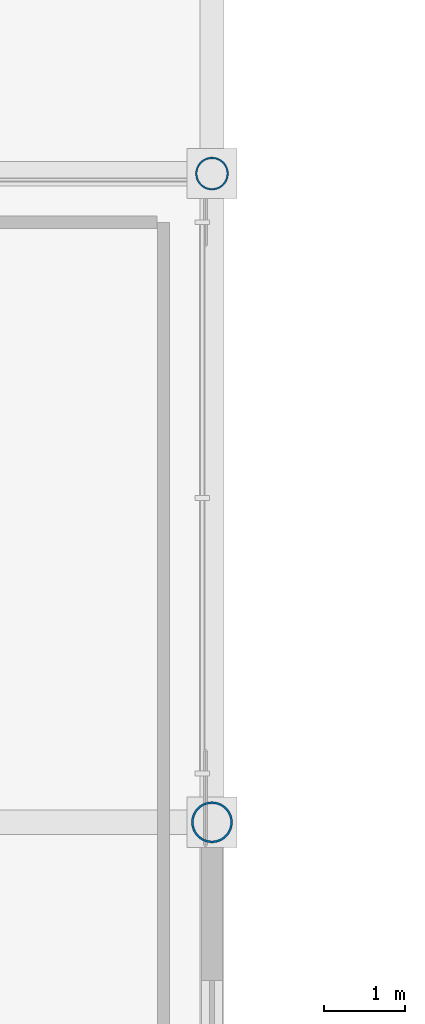
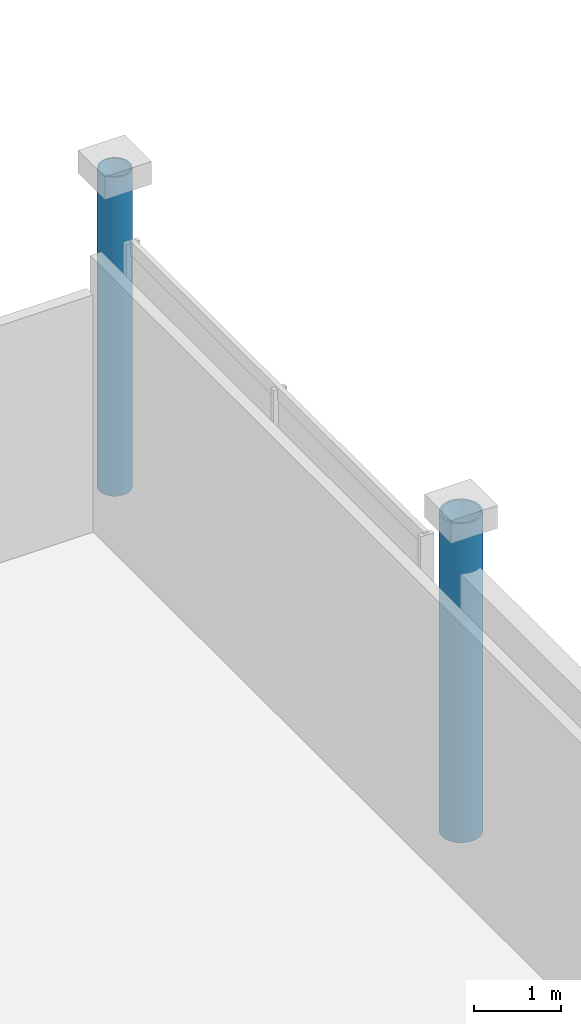
# One storey, part 8 of 59: 2 columns.
"""IFC4 building model written with IfcOpenShell, lengths in metres."""

from ifc_helpers import new_model, si_unit, direction, frame, origin, origin_2d, place, context, subcontext, project, spatial, hollow_circle, extrude, material, material_profile, profile_set, type_object, element, save


model = new_model("IFC4")

# Units and contexts
model_context = context("Model", 3, precision=1e-05, world=origin(), true_north=direction((0.0, 1.0)))
body_context = subcontext(model_context, "Body", "Model", "MODEL_VIEW")
ifc_project = project(units=[si_unit("LENGTHUNIT", "METRE"), si_unit("AREAUNIT", "SQUARE_METRE"), si_unit("VOLUMEUNIT", "CUBIC_METRE"), si_unit("PLANEANGLEUNIT", "RADIAN"), si_unit("MASSUNIT", "GRAM", prefix="KILO")], contexts=[model_context])

# Site, building, storey
site_placement = place(None, origin())
site = spatial("IfcSite", under=ifc_project, at=site_placement, CompositionType="ELEMENT")
building_placement = place(site_placement, origin())
building = spatial("IfcBuilding", under=site, at=building_placement, Name="Danafjord Basin Convention Centre", CompositionType="ELEMENT")
storey_placement = place(building_placement, frame((0.0, 0.0, 15.89990234375)))
storey = spatial("IfcBuildingStorey", under=building, at=storey_placement, Name="L03", CompositionType="ELEMENT", Elevation=15.89990234375)

# Columns
ifc_material = material(Name="Steel S355", Category="steel")
ifc_material_profile_1 = material_profile(ifc_material, hollow_circle(Radius=0.203125, WallThickness=0.02001953125, at=origin_2d()), Name="CHS 406.4x20.0")
ifc_profile_set_1 = profile_set([ifc_material_profile_1], Name="Steel S355")
column_type_1 = type_object("IfcColumnType", Name="COL-C-CHS406", PredefinedType="COLUMN", material=ifc_profile_set_1)
column_1_placement = place(storey_placement, frame((115.199951171875, 40.0, 0.0), z_axis=(0.0, 0.0, 1.0), x_axis=(1.0, 0.0, 0.0)))
element("IfcColumn", 1, at=column_1_placement, inside=storey, type_object=column_type_1, Name="L03 column C-CHS406 at (115.2, 40.0)", PredefinedType="COLUMN", context=body_context, shape_type="SweptSolid", body=[
    extrude(hollow_circle(Radius=0.203125, WallThickness=0.02001953125, at=origin_2d()), origin(), (0.0, 0.0, 1.0), 4.5),
])
ifc_material_profile_2 = material_profile(ifc_material, hollow_circle(Radius=0.25390625, WallThickness=0.02490234375, at=origin_2d()), Name="CHS 508.0x25.0")
ifc_profile_set_2 = profile_set([ifc_material_profile_2], Name="Steel S355")
column_type_2 = type_object("IfcColumnType", Name="COL-C-CHS508", PredefinedType="COLUMN", material=ifc_profile_set_2)
column_2_placement = place(storey_placement, frame((115.199951171875, 32.0, 0.0), z_axis=(0.0, 0.0, 1.0), x_axis=(1.0, 0.0, 0.0)))
element("IfcColumn", 2, at=column_2_placement, inside=storey, type_object=column_type_2, Name="L03 column C-CHS508 at (115.2, 32.0)", PredefinedType="COLUMN", context=body_context, shape_type="SweptSolid", body=[
    extrude(hollow_circle(Radius=0.25390625, WallThickness=0.02490234375, at=origin_2d()), origin(), (0.0, 0.0, 1.0), 4.5),
])

save(model, "model.ifc")
